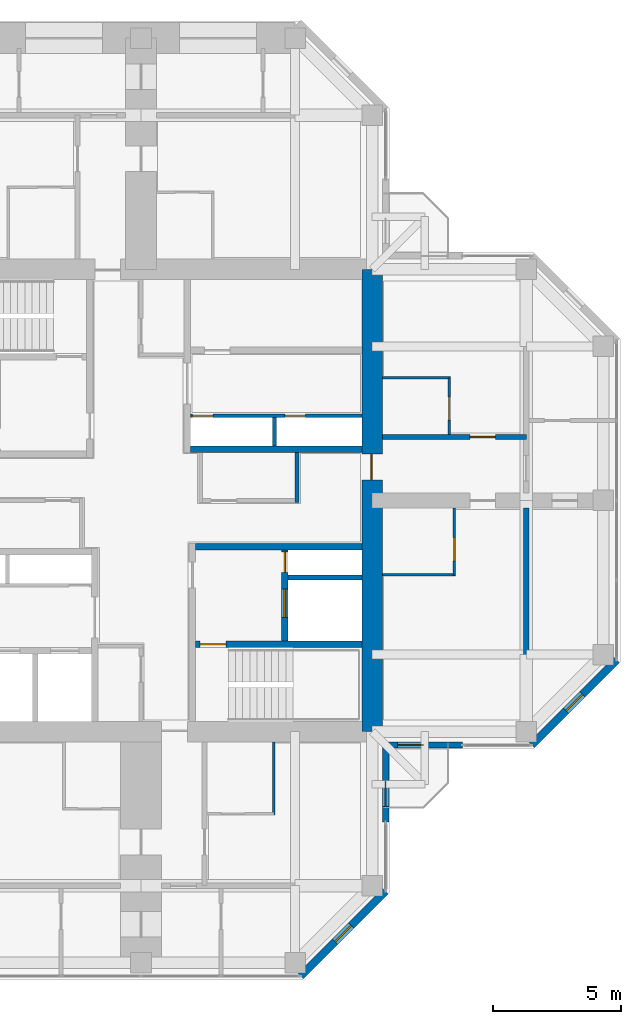
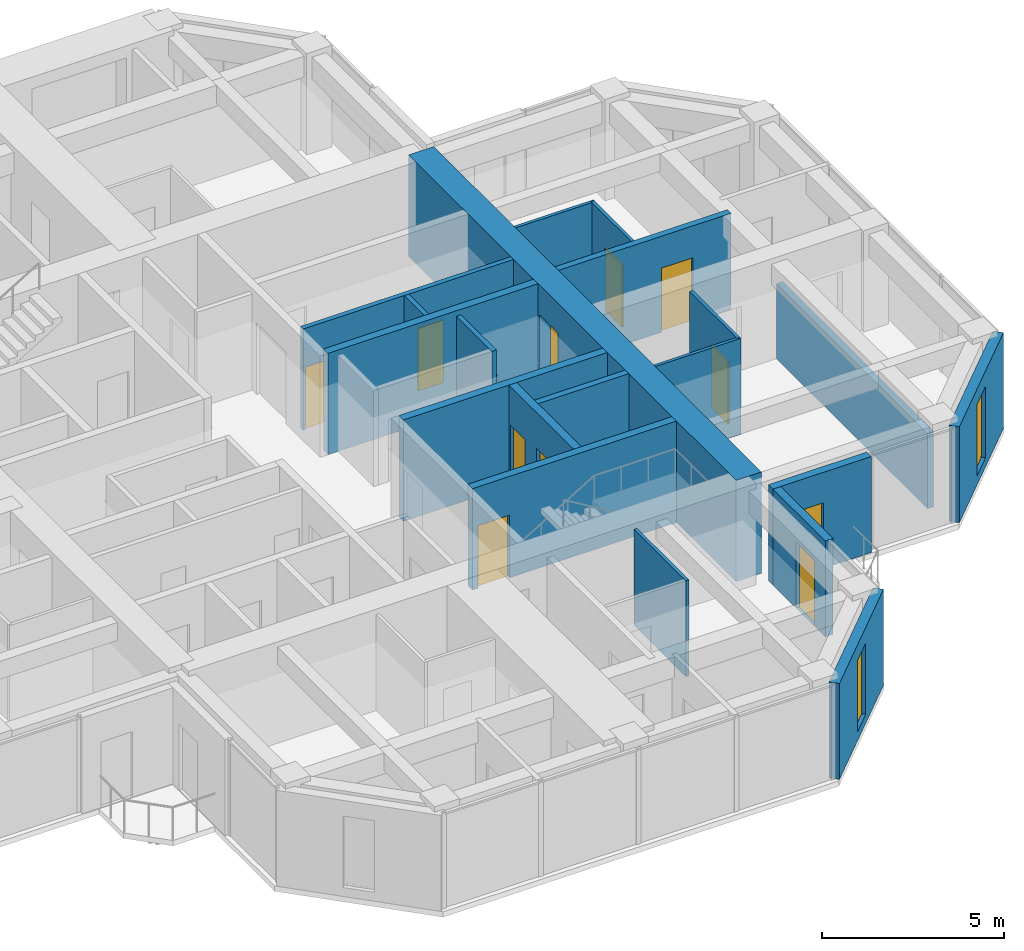
# One storey, part 11 of 14: 20 walls, 11 doors, 2 windows, 13 openings.
"""IFC4 building model written with IfcOpenShell, lengths in metres."""

from ifc_helpers import new_model, si_unit, direction, frame, frame_2d, origin, place, context, subcontext, project, spatial, rectangle, hollow_rectangle, extrude, material, layer, layer_set, constituent, constituent_set, type_object, element, fill, save


model = new_model("IFC4")

# Units and contexts
model_context = context("Model", 3, precision=1e-05, world=origin(), true_north=direction((0.0, 1.0)))
body_context = subcontext(model_context, "Body", "Model", "MODEL_VIEW")
ifc_project = project(units=[si_unit("LENGTHUNIT", "METRE"), si_unit("AREAUNIT", "SQUARE_METRE"), si_unit("VOLUMEUNIT", "CUBIC_METRE"), si_unit("PLANEANGLEUNIT", "RADIAN"), si_unit("MASSUNIT", "GRAM", prefix="KILO")], contexts=[model_context])

# Site, building, storey
site_placement = place(None, origin())
site = spatial("IfcSite", under=ifc_project, at=site_placement, CompositionType="ELEMENT")
building_placement = place(site_placement, origin())
building = spatial("IfcBuilding", under=site, at=building_placement, Name="Torre Cruceta", CompositionType="ELEMENT")
storey_placement = place(building_placement, frame((0.0, 0.0, 228.89990234375)))
storey = spatial("IfcBuildingStorey", under=building, at=storey_placement, Name="L58", CompositionType="ELEMENT", Elevation=228.89990234375)

# Wall
ifc_material_1 = material(Name="Water-resistant plasterboard on steel studs", Category="steel")
ifc_layer_1 = layer(ifc_material_1, 0.10009765625)
ifc_layer_set_1 = layer_set([ifc_layer_1], Name="Water-resistant plasterboard on steel studs")
wall_type_1 = type_object("IfcWallType", Name="BATHROOM WALL 100", PredefinedType="PARTITIONING", material=ifc_layer_set_1)
wall_1_placement = place(storey_placement, frame((9.39990234375, 4.77490234375, 0.0), z_axis=(0.0, 0.0, 1.0), x_axis=(1.0, 0.0, 0.0)))
element("IfcWall", 1, at=wall_1_placement, inside=storey, type_object=wall_type_1, Name="PT4 L58-E-U1LBB", PredefinedType="PARTITIONING", context=body_context, shape_type="SweptSolid", body=[
    extrude(rectangle(XDim=2.650146484375, YDim=0.10009765625, at=frame_2d((1.3251953125, 0.0))), origin(), (0.0, 0.0, 1.0), 3.22021484375),
])

# Wall, opening, door
wall_2_placement = place(storey_placement, frame((12.0, 2.574951171875, 0.0), z_axis=(0.0, 0.0, 1.0), x_axis=(0.0, 1.0, 0.0)))
wall_2 = element("IfcWall", 2, at=wall_2_placement, inside=storey, type_object=wall_type_1, Name="PT4 L58-E-U1LBS", PredefinedType="PARTITIONING", context=body_context, shape_type="SweptSolid", body=[
    extrude(rectangle(XDim=2.199951171875, YDim=0.10009765625, at=frame_2d((1.10009765625, 0.0))), origin(), (0.0, 0.0, 1.0), 3.22021484375),
])
opening_1_placement = place(wall_2_placement, frame((0.550048828125, 0.0, 0.0)))
opening_1 = element("IfcOpeningElement", 3, at=opening_1_placement, cuts=wall_2, Name="Opening D7", PredefinedType="OPENING", context=body_context, shape_type="SweptSolid", body=[
    extrude(rectangle(XDim=0.89990234375, YDim=2.10009765625, at=frame_2d((0.449951171875, 1.050048828125))), frame((0.0, 0.06005859375, 0.0), z_axis=(0.0, -1.0, 0.0), x_axis=(1.0, 0.0, 0.0)), (0.0, 0.0, 1.0), 0.1201171875),
])
ifc_material_2 = material(Name="Timber door", Category="wood")
door_type_1 = type_object("IfcDoorType", Name="BATHROOM DOOR 900X2100", OperationType="SINGLE_SWING_LEFT", PredefinedType="DOOR", material=ifc_material_2)
door_1_placement = place(opening_1_placement, origin())
door_1 = element("IfcDoor", 4, at=door_1_placement, inside=storey, type_object=door_type_1, Name="D7 L58-E-U1LBS-D1", OperationType="SINGLE_SWING_LEFT", OverallHeight=2.10009765625, OverallWidth=0.89990234375, PredefinedType="DOOR", context=body_context, shape_type="SweptSolid", body=[
    extrude(rectangle(XDim=0.89990234375, YDim=2.10009765625, at=frame_2d((0.449951171875, 1.050048828125))), frame((0.0, 0.02490234375, 0.0), z_axis=(0.0, -1.0, 0.0), x_axis=(1.0, 0.0, 0.0)), (0.0, 0.0, 1.0), 0.050048828125),
])
fill(opening_1, door_1)

# Wall
wall_3_placement = place(storey_placement, frame((9.39990234375, -2.89990234375, 0.0), z_axis=(0.0, 0.0, 1.0), x_axis=(1.0, 0.0, 0.0)))
element("IfcWall", 5, at=wall_3_placement, inside=storey, type_object=wall_type_1, Name="PT4 L58-E-U1RBB", PredefinedType="PARTITIONING", context=body_context, shape_type="SweptSolid", body=[
    extrude(rectangle(XDim=2.85009765625, YDim=0.10009765625, at=frame_2d((1.425048828125, 0.0))), origin(), (0.0, 0.0, 1.0), 3.22021484375),
])

# Wall, opening, door
wall_4_placement = place(storey_placement, frame((12.199951171875, -2.89990234375, 0.0), z_axis=(0.0, 0.0, 1.0), x_axis=(0.0, 1.0, 0.0)))
wall_4 = element("IfcWall", 6, at=wall_4_placement, inside=storey, type_object=wall_type_1, Name="PT4 L58-E-U1RBS", PredefinedType="PARTITIONING", context=body_context, shape_type="SweptSolid", body=[
    extrude(rectangle(XDim=2.599853515625, YDim=0.10009765625, at=frame_2d((1.2998046875, 0.0))), origin(), (0.0, 0.0, 1.0), 3.22021484375),
])
opening_2_placement = place(wall_4_placement, frame((0.550048828125, 0.0, 0.0)))
opening_2 = element("IfcOpeningElement", 7, at=opening_2_placement, cuts=wall_4, Name="Opening D7", PredefinedType="OPENING", context=body_context, shape_type="SweptSolid", body=[
    extrude(rectangle(XDim=0.89990234375, YDim=2.10009765625, at=frame_2d((0.449951171875, 1.050048828125))), frame((0.0, 0.06005859375, 0.0), z_axis=(0.0, -1.0, 0.0), x_axis=(1.0, 0.0, 0.0)), (0.0, 0.0, 1.0), 0.1201171875),
])
door_2_placement = place(opening_2_placement, origin())
door_2 = element("IfcDoor", 8, at=door_2_placement, inside=storey, type_object=door_type_1, Name="D7 L58-E-U1RBS-D1", OperationType="SINGLE_SWING_LEFT", OverallHeight=2.10009765625, OverallWidth=0.89990234375, PredefinedType="DOOR", context=body_context, shape_type="SweptSolid", body=[
    extrude(rectangle(XDim=0.89990234375, YDim=2.10009765625, at=frame_2d((0.449951171875, 1.050048828125))), frame((0.0, 0.02490234375, 0.0), z_axis=(0.0, -1.0, 0.0), x_axis=(1.0, 0.0, 0.0)), (0.0, 0.0, 1.0), 0.050048828125),
])
fill(opening_2, door_2)

# Walls
wall_5_placement = place(storey_placement, frame((5.175048828125, -9.39990234375, 0.0), z_axis=(0.0, 0.0, 1.0), x_axis=(0.0, -1.0, 0.0)))
element("IfcWall", 9, at=wall_5_placement, inside=storey, type_object=wall_type_1, Name="PT4 L58-S-U1LBB", PredefinedType="PARTITIONING", context=body_context, shape_type="SweptSolid", body=[
    extrude(rectangle(XDim=2.85009765625, YDim=0.10009765625, at=frame_2d((1.425048828125, 0.0))), origin(), (0.0, 0.0, 1.0), 3.22021484375),
])
ifc_material_3 = material(Name="Concrete G60 (fck 60 MPa)", Category="concrete")
ifc_layer_2 = layer(ifc_material_3, 0.25)
ifc_layer_set_2 = layer_set([ifc_layer_2], Name="Concrete G60 (fck 60 MPa)")
wall_type_2 = type_object("IfcWallType", Name="CORE INNER WALL 250 G60", PredefinedType="SHEAR", material=ifc_layer_set_2)
wall_6_placement = place(storey_placement, frame((1.925048828125, 2.0, 0.0), z_axis=(0.0, 0.0, 1.0), x_axis=(1.0, 0.0, 0.0)))
element("IfcWall", 10, at=wall_6_placement, inside=storey, type_object=wall_type_2, Name="CW4 L58 NE-CV", PredefinedType="SHEAR", context=body_context, shape_type="SweptSolid", body=[
    extrude(rectangle(XDim=6.675048828125, YDim=0.25, at=frame_2d((3.33740234375, 0.0))), origin(), (0.0, 0.0, 1.0), 3.400146484375),
])
wall_7_placement = place(storey_placement, frame((2.125, -1.800048828125, 0.0), z_axis=(0.0, 0.0, 1.0), x_axis=(1.0, 0.0, 0.0)))
element("IfcWall", 11, at=wall_7_placement, inside=storey, type_object=wall_type_2, Name="CW4 L58 SE-CV", PredefinedType="SHEAR", context=body_context, shape_type="SweptSolid", body=[
    extrude(rectangle(XDim=6.47509765625, YDim=0.25, at=frame_2d((3.237548828125, 0.0))), origin(), (0.0, 0.0, 1.0), 3.400146484375),
])

# Wall, opening, door
wall_8_placement = place(storey_placement, frame((2.125, -5.60009765625, 0.0), z_axis=(0.0, 0.0, 1.0), x_axis=(1.0, 0.0, 0.0)))
wall_8 = element("IfcWall", 12, at=wall_8_placement, inside=storey, type_object=wall_type_2, Name="CW4 L58 SE-SV", PredefinedType="SHEAR", context=body_context, shape_type="SweptSolid", body=[
    extrude(rectangle(XDim=6.47509765625, YDim=0.25, at=frame_2d((3.237548828125, 0.0))), origin(), (0.0, 0.0, 1.0), 3.400146484375),
])
opening_3_placement = place(wall_8_placement, frame((0.175048828125, 0.0, 0.0)))
opening_3 = element("IfcOpeningElement", 13, at=opening_3_placement, cuts=wall_8, Name="Opening D3", PredefinedType="OPENING", context=body_context, shape_type="SweptSolid", body=[
    extrude(rectangle(XDim=1.0, YDim=2.10009765625, at=frame_2d((0.5, 1.050048828125))), frame((0.0, 0.135009765625, 0.0), z_axis=(0.0, -1.0, 0.0), x_axis=(1.0, 0.0, 0.0)), (0.0, 0.0, 1.0), 0.27001953125),
])
ifc_material_4 = material(Name="Steel DX51D", Category="steel")
ifc_constituent_1 = constituent(ifc_material_4, Name="Leaf and frame")
ifc_material_5 = material(Name="Polyester powder coating", Category="paint")
ifc_constituent_2 = constituent(ifc_material_5, Name="Finish")
ifc_constituent_set_1 = constituent_set(constituents=[ifc_constituent_1, ifc_constituent_2], Name="Steel fire door")
door_type_2 = type_object("IfcDoorType", Name="FIRE DOOR 1000X2100", OperationType="SINGLE_SWING_LEFT", PredefinedType="DOOR", material=ifc_constituent_set_1)
door_3_placement = place(opening_3_placement, frame((1.0, 0.0, 0.0), z_axis=(0.0, 0.0, 1.0), x_axis=(-1.0, 0.0, 0.0)))
door_3 = element("IfcDoor", 14, at=door_3_placement, inside=storey, type_object=door_type_2, Name="D3 L58 SE-STAIR", OperationType="SINGLE_SWING_RIGHT", OverallHeight=2.10009765625, OverallWidth=1.0, PredefinedType="DOOR", context=body_context, shape_type="SweptSolid", body=[
    extrude(rectangle(XDim=1.0, YDim=2.10009765625, at=frame_2d((0.5, 1.050048828125))), frame((0.0, 0.025146484375, 0.0), z_axis=(0.0, -1.0, 0.0), x_axis=(1.0, 0.0, 0.0)), (0.0, 0.0, 1.0), 0.050048828125),
])
fill(opening_3, door_3)

# Wall, openings, doors
wall_9_placement = place(storey_placement, frame((5.60009765625, -1.925048828125, 0.0), z_axis=(0.0, 0.0, 1.0), x_axis=(0.0, -1.0, 0.0)))
wall_9 = element("IfcWall", 15, at=wall_9_placement, inside=storey, type_object=wall_type_2, Name="CW4 L58 SE-FU", PredefinedType="SHEAR", context=body_context, shape_type="SweptSolid", body=[
    extrude(rectangle(XDim=3.550048828125, YDim=0.25, at=frame_2d((1.77490234375, 0.0))), origin(), (0.0, 0.0, 1.0), 3.400146484375),
])
opening_4_placement = place(wall_9_placement, frame((1.52490234375, 0.0, 0.0)))
opening_4 = element("IfcOpeningElement", 16, at=opening_4_placement, cuts=wall_9, Name="Opening LD1", PredefinedType="OPENING", context=body_context, shape_type="SweptSolid", body=[
    extrude(rectangle(XDim=1.10009765625, YDim=2.199951171875, at=frame_2d((0.550048828125, 1.10009765625))), frame((0.0, 0.135009765625, 0.0), z_axis=(0.0, -1.0, 0.0), x_axis=(1.0, 0.0, 0.0)), (0.0, 0.0, 1.0), 0.27001953125),
])
opening_5_placement = place(wall_9_placement, frame((0.074951171875, 0.0, 0.0)))
opening_5 = element("IfcOpeningElement", 17, at=opening_5_placement, cuts=wall_9, Name="Opening D5", PredefinedType="OPENING", context=body_context, shape_type="SweptSolid", body=[
    extrude(rectangle(XDim=0.800048828125, YDim=2.10009765625, at=frame_2d((0.39990234375, 1.050048828125))), frame((0.0, 0.135009765625, 0.0), z_axis=(0.0, -1.0, 0.0), x_axis=(1.0, 0.0, 0.0)), (0.0, 0.0, 1.0), 0.27001953125),
])
ifc_material_6 = material(Name="Stainless steel 1.4401", Category="steel")
door_type_3 = type_object("IfcDoorType", Name="LIFT LANDING DOOR 1100X2200", OperationType="DOUBLE_DOOR_SLIDING", PredefinedType="DOOR", material=ifc_material_6)
door_4_placement = place(opening_4_placement, origin())
door_4 = element("IfcDoor", 18, at=door_4_placement, inside=storey, type_object=door_type_3, Name="Lift landing door FL2", OperationType="DOUBLE_DOOR_SLIDING", OverallHeight=2.199951171875, OverallWidth=1.10009765625, PredefinedType="DOOR", context=body_context, shape_type="SweptSolid", body=[
    extrude(rectangle(XDim=1.10009765625, YDim=2.199951171875, at=frame_2d((0.550048828125, 1.10009765625))), frame((0.0, 0.02490234375, 0.0), z_axis=(0.0, -1.0, 0.0), x_axis=(1.0, 0.0, 0.0)), (0.0, 0.0, 1.0), 0.050048828125),
])
fill(opening_4, door_4)
ifc_material_7 = material(Name="Steel DX51D", Category="steel")
ifc_constituent_3 = constituent(ifc_material_7, Name="Leaf and frame")
ifc_material_8 = material(Name="Polyester powder coating", Category="paint")
ifc_constituent_4 = constituent(ifc_material_8, Name="Finish")
ifc_constituent_set_2 = constituent_set(constituents=[ifc_constituent_3, ifc_constituent_4], Name="Steel fire door")
door_type_4 = type_object("IfcDoorType", Name="RISER ACCESS DOOR 800X2100", OperationType="SINGLE_SWING_LEFT", PredefinedType="DOOR", material=ifc_constituent_set_2)
door_5_placement = place(opening_5_placement, origin())
door_5 = element("IfcDoor", 19, at=door_5_placement, inside=storey, type_object=door_type_4, Name="D5 L58 SE-RISER", OperationType="SINGLE_SWING_LEFT", OverallHeight=2.10009765625, OverallWidth=0.800048828125, PredefinedType="DOOR", context=body_context, shape_type="SweptSolid", body=[
    extrude(rectangle(XDim=0.800048828125, YDim=2.10009765625, at=frame_2d((0.39990234375, 1.050048828125))), frame((0.0, 0.02490234375, 0.0), z_axis=(0.0, -1.0, 0.0), x_axis=(1.0, 0.0, 0.0)), (0.0, 0.0, 1.0), 0.050048828125),
])
fill(opening_5, door_5)

# Wall, opening, door
ifc_material_9 = material(Name="Concrete G60 (fck 60 MPa)", Category="concrete")
ifc_layer_3 = layer(ifc_material_9, 0.800048828125)
ifc_layer_set_3 = layer_set([ifc_layer_3], Name="Concrete G60 (fck 60 MPa)")
wall_type_3 = type_object("IfcWallType", Name="CORE WALL 800 G60", PredefinedType="SHEAR", material=ifc_layer_set_3)
wall_10_placement = place(storey_placement, frame((9.0, -9.0, 0.0), z_axis=(0.0, 0.0, 1.0), x_axis=(0.0, 1.0, 0.0)))
wall_10 = element("IfcWall", 20, at=wall_10_placement, inside=storey, type_object=wall_type_3, Name="CW3 L58 CW-E", PredefinedType="SHEAR", context=body_context, shape_type="SweptSolid", body=[
    extrude(rectangle(XDim=18.0, YDim=0.800048828125, at=frame_2d((9.0, 0.0))), origin(), (0.0, 0.0, 1.0), 3.400146484375),
])
opening_6_placement = place(wall_10_placement, frame((9.800048828125, 0.0, 0.0)))
opening_6 = element("IfcOpeningElement", 21, at=opening_6_placement, cuts=wall_10, Name="Opening D4", PredefinedType="OPENING", context=body_context, shape_type="SweptSolid", body=[
    extrude(rectangle(XDim=1.0, YDim=2.39990234375, at=frame_2d((0.5, 1.199951171875))), frame((0.0, 0.409912109375, 0.0), z_axis=(0.0, -1.0, 0.0), x_axis=(1.0, 0.0, 0.0)), (0.0, 0.0, 1.0), 0.820068359375),
])
ifc_material_10 = material(Name="Steel DX51D", Category="steel")
ifc_constituent_5 = constituent(ifc_material_10, Name="Leaf and frame")
ifc_material_11 = material(Name="Polyester powder coating", Category="paint")
ifc_constituent_6 = constituent(ifc_material_11, Name="Finish")
ifc_constituent_set_3 = constituent_set(constituents=[ifc_constituent_5, ifc_constituent_6], Name="Steel fire door")
door_type_5 = type_object("IfcDoorType", Name="CORE ARM DOOR 1000X2400", OperationType="SINGLE_SWING_RIGHT", PredefinedType="DOOR", material=ifc_constituent_set_3)
door_6_placement = place(opening_6_placement, origin())
door_6 = element("IfcDoor", 22, at=door_6_placement, inside=storey, type_object=door_type_5, Name="D4 L58 CW-E", OperationType="SINGLE_SWING_RIGHT", OverallHeight=2.39990234375, OverallWidth=1.0, PredefinedType="DOOR", context=body_context, shape_type="SweptSolid", body=[
    extrude(rectangle(XDim=1.0, YDim=2.39990234375, at=frame_2d((0.5, 1.199951171875))), frame((0.0, 0.05517578125, 0.0), z_axis=(0.0, -1.0, 0.0), x_axis=(1.0, 0.0, 0.0)), (0.0, 0.0, 1.0), 0.050048828125),
])
fill(opening_6, door_6)

ifc_material_12 = material(Name="Concrete G25 (fck 25 MPa)", Category="concrete")
ifc_layer_4 = layer(ifc_material_12, 0.199951171875)
ifc_layer_set_4 = layer_set([ifc_layer_4], Name="Concrete G25 (fck 25 MPa)")
wall_type_4 = type_object("IfcWallType", Name="CORRIDOR WALL 200", PredefinedType="SOLIDWALL", material=ifc_layer_set_4)
wall_11_placement = place(storey_placement, frame((9.39990234375, 2.47509765625, 0.0), z_axis=(0.0, 0.0, 1.0), x_axis=(1.0, 0.0, 0.0)))
wall_11 = element("IfcWall", 23, at=wall_11_placement, inside=storey, type_object=wall_type_4, Name="PT3 L58-E-CL", PredefinedType="SOLIDWALL", context=body_context, shape_type="SweptSolid", body=[
    extrude(rectangle(XDim=5.60009765625, YDim=0.199951171875, at=frame_2d((2.800048828125, 0.0))), origin(), (0.0, 0.0, 1.0), 3.22021484375),
])
opening_7_placement = place(wall_11_placement, frame((3.39990234375, 0.0, 0.0)))
opening_7 = element("IfcOpeningElement", 24, at=opening_7_placement, cuts=wall_11, Name="Opening D6", PredefinedType="OPENING", context=body_context, shape_type="SweptSolid", body=[
    extrude(rectangle(XDim=1.0, YDim=2.14990234375, at=frame_2d((0.5, 1.074951171875))), frame((0.0, 0.10986328125, 0.0), z_axis=(0.0, -1.0, 0.0), x_axis=(1.0, 0.0, 0.0)), (0.0, 0.0, 1.0), 0.219970703125),
])
ifc_material_13 = material(Name="Timber fire door", Category="wood")
door_type_6 = type_object("IfcDoorType", Name="UNIT ENTRANCE DOOR 1000X2150", OperationType="SINGLE_SWING_LEFT", PredefinedType="DOOR", material=ifc_material_13)
door_7_placement = place(opening_7_placement, origin())
door_7 = element("IfcDoor", 25, at=door_7_placement, inside=storey, type_object=door_type_6, Name="D6 L58-E-CL-D1", OperationType="SINGLE_SWING_LEFT", OverallHeight=2.14990234375, OverallWidth=1.0, PredefinedType="DOOR", context=body_context, shape_type="SweptSolid", body=[
    extrude(rectangle(XDim=1.0, YDim=2.14990234375, at=frame_2d((0.5, 1.074951171875))), frame((0.0, 0.02490234375, 0.0), z_axis=(0.0, -1.0, 0.0), x_axis=(1.0, 0.0, 0.0)), (0.0, 0.0, 1.0), 0.050048828125),
])
fill(opening_7, door_7)

# Wall, opening, window
ifc_material_14 = material(Name="Concrete G30 (fck 30 MPa)", Category="concrete")
ifc_layer_5 = layer(ifc_material_14, 0.300048828125)
ifc_layer_set_5 = layer_set([ifc_layer_5], Name="Concrete G30 (fck 30 MPa)")
wall_type_5 = type_object("IfcWallType", Name="EXPOSED CONCRETE FACADE WALL 300", PredefinedType="SOLIDWALL", material=ifc_layer_set_5)
wall_12_placement = place(storey_placement, frame((15.21533203125, -9.52001953125, 0.0), z_axis=(0.0, 0.0, 1.0), x_axis=(0.707106781187, 0.707106781187, 0.0)))
wall_12 = element("IfcWall", 26, at=wall_12_placement, inside=storey, type_object=wall_type_5, Name="EW1 facade wall L58 E chamfer 01", PredefinedType="SOLIDWALL", context=body_context, shape_type="SweptSolid", body=[
    extrude(rectangle(XDim=4.673583984375, YDim=0.300048828125, at=frame_2d((2.3369140625, 0.0))), origin(), (0.0, 0.0, 1.0), 3.22021484375),
])
opening_8_placement = place(wall_12_placement, frame((1.88671875, 0.0, 0.300048828125)))
opening_8 = element("IfcOpeningElement", 27, at=opening_8_placement, cuts=wall_12, Name="Opening WN5", PredefinedType="OPENING", context=body_context, shape_type="SweptSolid", body=[
    extrude(rectangle(XDim=0.89990234375, YDim=2.39990234375, at=frame_2d((0.449951171875, 1.199951171875))), frame((0.0, 0.159912109375, 0.0), z_axis=(0.0, -1.0, 0.0), x_axis=(1.0, 0.0, 0.0)), (0.0, 0.0, 1.0), 0.320068359375),
])
ifc_material_15 = material(Name="Aluminium window frame", Category="aluminium")
ifc_constituent_7 = constituent(ifc_material_15, Name="Frame")
ifc_material_16 = material(Name="Laminated insulating glass unit, low-iron clear", Category="glass")
ifc_constituent_8 = constituent(ifc_material_16, Name="Glazing")
ifc_constituent_set_4 = constituent_set(constituents=[ifc_constituent_7, ifc_constituent_8], Name="Aluminium window")
window_type = type_object("IfcWindowType", Name="CHAMFER SLOT WINDOW 900X2400", PartitioningType="SINGLE_PANEL", PredefinedType="WINDOW", material=ifc_constituent_set_4)
window_1_placement = place(opening_8_placement, origin())
window_1 = element("IfcWindow", 28, at=window_1_placement, inside=storey, type_object=window_type, Name="WN5 L58 E 1", OverallHeight=2.39990234375, OverallWidth=0.89990234375, PartitioningType="SINGLE_PANEL", PredefinedType="WINDOW", context=body_context, shape_type="SweptSolid", body=[
    extrude(hollow_rectangle(XDim=0.89990234375, YDim=2.39990234375, WallThickness=0.06005859375, at=frame_2d((0.449951171875, 1.199951171875))), frame((0.0, 0.030029296875, 0.0), z_axis=(0.0, -1.0, 0.0), x_axis=(1.0, 0.0, 0.0)), (0.0, 0.0, 1.0), 0.06005859375),
    extrude(rectangle(XDim=0.77880859375, YDim=2.27880859375, at=frame_2d((0.449951171875, 1.199951171875))), frame((0.0, 0.030029296875, 0.0), z_axis=(0.0, -1.0, 0.0), x_axis=(1.0, 0.0, 0.0)), (0.0, 0.0, 1.0), 0.06005859375),
])
fill(opening_8, window_1)

wall_13_placement = place(storey_placement, frame((6.21533203125, -18.52001953125, 0.0), z_axis=(0.0, 0.0, 1.0), x_axis=(0.707106781187, 0.707106781187, 0.0)))
wall_13 = element("IfcWall", 29, at=wall_13_placement, inside=storey, type_object=wall_type_5, Name="EW1 facade wall L58 S chamfer 18", PredefinedType="SOLIDWALL", context=body_context, shape_type="SweptSolid", body=[
    extrude(rectangle(XDim=4.673583984375, YDim=0.300048828125, at=frame_2d((2.3369140625, 0.0))), origin(), (0.0, 0.0, 1.0), 3.22021484375),
])
opening_9_placement = place(wall_13_placement, frame((1.88671875, 0.0, 0.300048828125)))
opening_9 = element("IfcOpeningElement", 30, at=opening_9_placement, cuts=wall_13, Name="Opening WN5", PredefinedType="OPENING", context=body_context, shape_type="SweptSolid", body=[
    extrude(rectangle(XDim=0.89990234375, YDim=2.39990234375, at=frame_2d((0.449951171875, 1.199951171875))), frame((0.0, 0.159912109375, 0.0), z_axis=(0.0, -1.0, 0.0), x_axis=(1.0, 0.0, 0.0)), (0.0, 0.0, 1.0), 0.320068359375),
])
window_2_placement = place(opening_9_placement, origin())
window_2 = element("IfcWindow", 31, at=window_2_placement, inside=storey, type_object=window_type, Name="WN5 L58 S 1", OverallHeight=2.39990234375, OverallWidth=0.89990234375, PartitioningType="SINGLE_PANEL", PredefinedType="WINDOW", context=body_context, shape_type="SweptSolid", body=[
    extrude(hollow_rectangle(XDim=0.89990234375, YDim=2.39990234375, WallThickness=0.06005859375, at=frame_2d((0.449951171875, 1.199951171875))), frame((0.0, 0.030029296875, 0.0), z_axis=(0.0, -1.0, 0.0), x_axis=(1.0, 0.0, 0.0)), (0.0, 0.0, 1.0), 0.06005859375),
    extrude(rectangle(XDim=0.77880859375, YDim=2.27880859375, at=frame_2d((0.449951171875, 1.199951171875))), frame((0.0, 0.030029296875, 0.0), z_axis=(0.0, -1.0, 0.0), x_axis=(1.0, 0.0, 0.0)), (0.0, 0.0, 1.0), 0.06005859375),
])
fill(opening_9, window_2)

# Walls
ifc_material_17 = material(Name="Concrete G35 (fck 35 MPa)", Category="concrete")
ifc_layer_6 = layer(ifc_material_17, 0.199951171875)
ifc_layer_set_6 = layer_set([ifc_layer_6], Name="Concrete G35 (fck 35 MPa)")
wall_type_6 = type_object("IfcWallType", Name="LIFT SHAFT WALL 200", PredefinedType="PARTITIONING", material=ifc_layer_set_6)
wall_14_placement = place(storey_placement, frame((5.72509765625, -3.0, 0.0), z_axis=(0.0, 0.0, 1.0), x_axis=(1.0, 0.0, 0.0)))
element("IfcWall", 32, at=wall_14_placement, inside=storey, type_object=wall_type_6, Name="SW1 L58 SE-FR", PredefinedType="PARTITIONING", context=body_context, shape_type="SweptSolid", body=[
    extrude(rectangle(XDim=2.875, YDim=0.199951171875, at=frame_2d((1.4375, 0.0))), origin(), (0.0, 0.0, 1.0), 3.400146484375),
])
ifc_material_18 = material(Name="Plasterboard on steel studs", Category="steel")
ifc_layer_7 = layer(ifc_material_18, 0.14990234375)
ifc_layer_set_7 = layer_set([ifc_layer_7], Name="Plasterboard on steel studs")
wall_type_7 = type_object("IfcWallType", Name="PARTITION 150", PredefinedType="PARTITIONING", material=ifc_layer_set_7)
wall_15_placement = place(storey_placement, frame((6.074951171875, -0.074951171875, 0.0), z_axis=(0.0, 0.0, 1.0), x_axis=(0.0, 1.0, 0.0)))
element("IfcWall", 33, at=wall_15_placement, inside=storey, type_object=wall_type_7, Name="PT1 L58-CORE-LEGE-N-W3", PredefinedType="PARTITIONING", context=body_context, shape_type="SweptSolid", body=[
    extrude(rectangle(XDim=1.949951171875, YDim=0.14990234375, at=frame_2d((0.97509765625, 0.0))), origin(), (0.0, 0.0, 1.0), 3.22021484375),
])

# Wall, openings, doors
ifc_material_19 = material(Name="Concrete block masonry", Category="masonry")
ifc_layer_8 = layer(ifc_material_19, 0.14990234375)
ifc_layer_set_8 = layer_set([ifc_layer_8], Name="Concrete block masonry")
wall_type_8 = type_object("IfcWallType", Name="RISER WALL 150", PredefinedType="PARTITIONING", material=ifc_layer_set_8)
wall_16_placement = place(storey_placement, frame((1.925048828125, 3.300048828125, 0.0), z_axis=(0.0, 0.0, 1.0), x_axis=(1.0, 0.0, 0.0)))
wall_16 = element("IfcWall", 34, at=wall_16_placement, inside=storey, type_object=wall_type_8, Name="SW7 L58 NE-RV", PredefinedType="PARTITIONING", context=body_context, shape_type="SweptSolid", body=[
    extrude(rectangle(XDim=6.675048828125, YDim=0.14990234375, at=frame_2d((3.33740234375, 0.0))), origin(), (0.0, 0.0, 1.0), 3.400146484375),
])
opening_10_placement = place(wall_16_placement, frame((0.074951171875, 0.0, 0.0)))
opening_10 = element("IfcOpeningElement", 35, at=opening_10_placement, cuts=wall_16, Name="Opening D5", PredefinedType="OPENING", context=body_context, shape_type="SweptSolid", body=[
    extrude(rectangle(XDim=0.800048828125, YDim=2.10009765625, at=frame_2d((0.39990234375, 1.050048828125))), frame((0.0, 0.0849609375, 0.0), z_axis=(0.0, -1.0, 0.0), x_axis=(1.0, 0.0, 0.0)), (0.0, 0.0, 1.0), 0.169921875),
])
opening_11_placement = place(wall_16_placement, frame((3.675048828125, 0.0, 0.0)))
opening_11 = element("IfcOpeningElement", 36, at=opening_11_placement, cuts=wall_16, Name="Opening D5", PredefinedType="OPENING", context=body_context, shape_type="SweptSolid", body=[
    extrude(rectangle(XDim=0.800048828125, YDim=2.10009765625, at=frame_2d((0.39990234375, 1.050048828125))), frame((0.0, 0.0849609375, 0.0), z_axis=(0.0, -1.0, 0.0), x_axis=(1.0, 0.0, 0.0)), (0.0, 0.0, 1.0), 0.169921875),
])
door_8_placement = place(opening_10_placement, frame((0.800048828125, 0.0, 0.0), z_axis=(0.0, 0.0, 1.0), x_axis=(-1.0, 0.0, 0.0)))
door_8 = element("IfcDoor", 37, at=door_8_placement, inside=storey, type_object=door_type_4, Name="D5 L58 NE-RISER1", OperationType="SINGLE_SWING_RIGHT", OverallHeight=2.10009765625, OverallWidth=0.800048828125, PredefinedType="DOOR", context=body_context, shape_type="SweptSolid", body=[
    extrude(rectangle(XDim=0.800048828125, YDim=2.10009765625, at=frame_2d((0.400146484375, 1.050048828125))), frame((0.0, 0.025146484375, 0.0), z_axis=(0.0, -1.0, 0.0), x_axis=(1.0, 0.0, 0.0)), (0.0, 0.0, 1.0), 0.050048828125),
])
fill(opening_10, door_8)
door_9_placement = place(opening_11_placement, frame((0.800048828125, 0.0, 0.0), z_axis=(0.0, 0.0, 1.0), x_axis=(-1.0, 0.0, 0.0)))
door_9 = element("IfcDoor", 38, at=door_9_placement, inside=storey, type_object=door_type_4, Name="D5 L58 NE-RISER2", OperationType="SINGLE_SWING_RIGHT", OverallHeight=2.10009765625, OverallWidth=0.800048828125, PredefinedType="DOOR", context=body_context, shape_type="SweptSolid", body=[
    extrude(rectangle(XDim=0.800048828125, YDim=2.10009765625, at=frame_2d((0.400146484375, 1.050048828125))), frame((0.0, 0.025146484375, 0.0), z_axis=(0.0, -1.0, 0.0), x_axis=(1.0, 0.0, 0.0)), (0.0, 0.0, 1.0), 0.050048828125),
])
fill(opening_11, door_9)

# Walls
wall_17_placement = place(storey_placement, frame((5.199951171875, 2.125, 0.0), z_axis=(0.0, 0.0, 1.0), x_axis=(0.0, 1.0, 0.0)))
element("IfcWall", 39, at=wall_17_placement, inside=storey, type_object=wall_type_8, Name="SW7 L58 NE-RU", PredefinedType="PARTITIONING", context=body_context, shape_type="SweptSolid", body=[
    extrude(rectangle(XDim=1.10009765625, YDim=0.14990234375, at=frame_2d((0.550048828125, 0.0))), origin(), (0.0, 0.0, 1.0), 3.400146484375),
])
ifc_material_20 = material(Name="Concrete G25 (fck 25 MPa)", Category="concrete")
ifc_layer_9 = layer(ifc_material_20, 0.199951171875)
ifc_layer_set_9 = layer_set([ifc_layer_9], Name="Concrete G25 (fck 25 MPa)")
wall_type_9 = type_object("IfcWallType", Name="UNIT SEPARATING WALL 200", PredefinedType="SOLIDWALL", material=ifc_layer_set_9)
wall_18_placement = place(storey_placement, frame((15.0, -8.60009765625, 0.0), z_axis=(0.0, 0.0, 1.0), x_axis=(0.0, 1.0, 0.0)))
element("IfcWall", 40, at=wall_18_placement, inside=storey, type_object=wall_type_9, Name="PT2 L58-E-ENDa", PredefinedType="SOLIDWALL", context=body_context, shape_type="SweptSolid", body=[
    extrude(rectangle(XDim=8.300048828125, YDim=0.199951171875, at=frame_2d((4.14990234375, 0.0))), origin(), (0.0, 0.0, 1.0), 2.52001953125),
])

# Wall, opening, door
ifc_material_21 = material(Name="Concrete G30 (fck 30 MPa)", Category="concrete")
ifc_layer_10 = layer(ifc_material_21, 0.25)
ifc_layer_set_10 = layer_set([ifc_layer_10], Name="Concrete G30 (fck 30 MPa)")
wall_type_10 = type_object("IfcWallType", Name="WINTER GARDEN WALL 250", PredefinedType="SOLIDWALL", material=ifc_layer_set_10)
wall_19_placement = place(storey_placement, frame((9.39501953125, -9.52001953125, 0.0), z_axis=(0.0, 0.0, 1.0), x_axis=(1.0, 0.0, 0.0)))
wall_19 = element("IfcWall", 41, at=wall_19_placement, inside=storey, type_object=wall_type_10, Name="EW2 winter garden wall L58 00", PredefinedType="SOLIDWALL", context=body_context, shape_type="SweptSolid", body=[
    extrude(rectangle(XDim=3.125, YDim=0.25, at=frame_2d((1.5625, 0.0))), origin(), (0.0, 0.0, 1.0), 3.22021484375),
])
opening_12_placement = place(wall_19_placement, frame((0.60009765625, 0.0, 0.0)))
opening_12 = element("IfcOpeningElement", 42, at=opening_12_placement, cuts=wall_19, Name="Opening D10", PredefinedType="OPENING", context=body_context, shape_type="SweptSolid", body=[
    extrude(rectangle(XDim=1.0, YDim=2.199951171875, at=frame_2d((0.5, 1.10009765625))), frame((0.0, 0.135009765625, 0.0), z_axis=(0.0, -1.0, 0.0), x_axis=(1.0, 0.0, 0.0)), (0.0, 0.0, 1.0), 0.27001953125),
])
ifc_material_22 = material(Name="Aluminium door frame", Category="aluminium")
ifc_constituent_9 = constituent(ifc_material_22, Name="Frame")
ifc_material_23 = material(Name="Laminated safety glass", Category="glass")
ifc_constituent_10 = constituent(ifc_material_23, Name="Glazing")
ifc_constituent_set_5 = constituent_set(constituents=[ifc_constituent_9, ifc_constituent_10], Name="Aluminium glazed door")
door_type_7 = type_object("IfcDoorType", Name="BALCONY DOOR 1000X2200", OperationType="SINGLE_SWING_RIGHT", PredefinedType="DOOR", material=ifc_constituent_set_5)
door_10_placement = place(opening_12_placement, origin())
door_10 = element("IfcDoor", 43, at=door_10_placement, inside=storey, type_object=door_type_7, Name="D10 balcony door L58 00", OperationType="SINGLE_SWING_LEFT", OverallHeight=2.199951171875, OverallWidth=1.0, PredefinedType="DOOR", context=body_context, shape_type="SweptSolid", body=[
    extrude(hollow_rectangle(XDim=1.0, YDim=2.199951171875, WallThickness=0.06005859375, at=frame_2d((0.5, 1.10009765625))), frame((0.0, 0.02490234375, 0.0), z_axis=(0.0, -1.0, 0.0), x_axis=(1.0, 0.0, 0.0)), (0.0, 0.0, 1.0), 0.050048828125),
    extrude(rectangle(XDim=0.87890625, YDim=2.078857421875, at=frame_2d((0.5, 1.10009765625))), frame((0.0, 0.02490234375, 0.0), z_axis=(0.0, -1.0, 0.0), x_axis=(1.0, 0.0, 0.0)), (0.0, 0.0, 1.0), 0.050048828125),
])
fill(opening_12, door_10)

wall_20_placement = place(storey_placement, frame((9.52001953125, -12.52001953125, 0.0), z_axis=(0.0, 0.0, 1.0), x_axis=(0.0, 1.0, 0.0)))
wall_20 = element("IfcWall", 44, at=wall_20_placement, inside=storey, type_object=wall_type_10, Name="EW2 winter garden wall L58 19", PredefinedType="SOLIDWALL", context=body_context, shape_type="SweptSolid", body=[
    extrude(rectangle(XDim=2.875, YDim=0.25, at=frame_2d((1.4375, 0.0))), origin(), (0.0, 0.0, 1.0), 3.22021484375),
])
opening_13_placement = place(wall_20_placement, frame((0.60009765625, 0.0, 0.0)))
opening_13 = element("IfcOpeningElement", 45, at=opening_13_placement, cuts=wall_20, Name="Opening D10", PredefinedType="OPENING", context=body_context, shape_type="SweptSolid", body=[
    extrude(rectangle(XDim=1.0, YDim=2.199951171875, at=frame_2d((0.5, 1.10009765625))), frame((0.0, 0.135009765625, 0.0), z_axis=(0.0, -1.0, 0.0), x_axis=(1.0, 0.0, 0.0)), (0.0, 0.0, 1.0), 0.27001953125),
])
door_11_placement = place(opening_13_placement, origin())
door_11 = element("IfcDoor", 46, at=door_11_placement, inside=storey, type_object=door_type_7, Name="D10 balcony door L58 19", OperationType="SINGLE_SWING_RIGHT", OverallHeight=2.199951171875, OverallWidth=1.0, PredefinedType="DOOR", context=body_context, shape_type="SweptSolid", body=[
    extrude(hollow_rectangle(XDim=1.0, YDim=2.199951171875, WallThickness=0.06005859375, at=frame_2d((0.5, 1.10009765625))), frame((0.0, 0.02490234375, 0.0), z_axis=(0.0, -1.0, 0.0), x_axis=(1.0, 0.0, 0.0)), (0.0, 0.0, 1.0), 0.050048828125),
    extrude(rectangle(XDim=0.87890625, YDim=2.078857421875, at=frame_2d((0.5, 1.10009765625))), frame((0.0, 0.02490234375, 0.0), z_axis=(0.0, -1.0, 0.0), x_axis=(1.0, 0.0, 0.0)), (0.0, 0.0, 1.0), 0.050048828125),
])
fill(opening_13, door_11)

save(model, "model.ifc")
